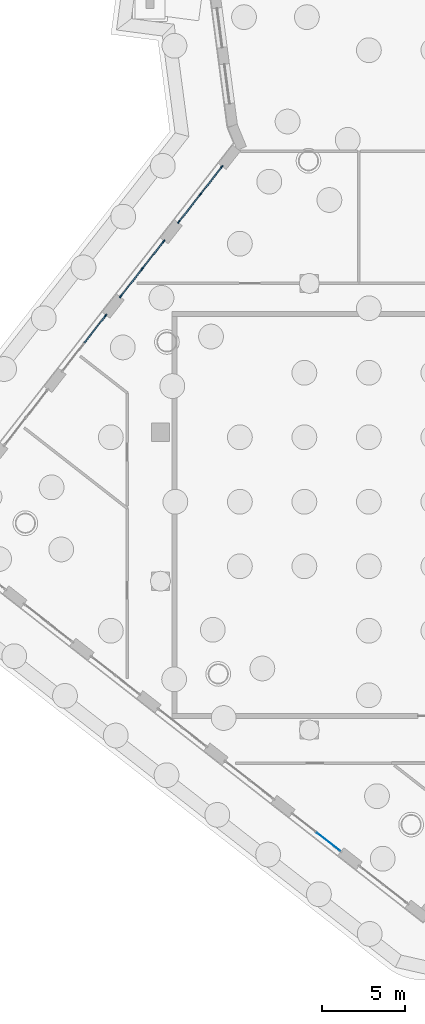
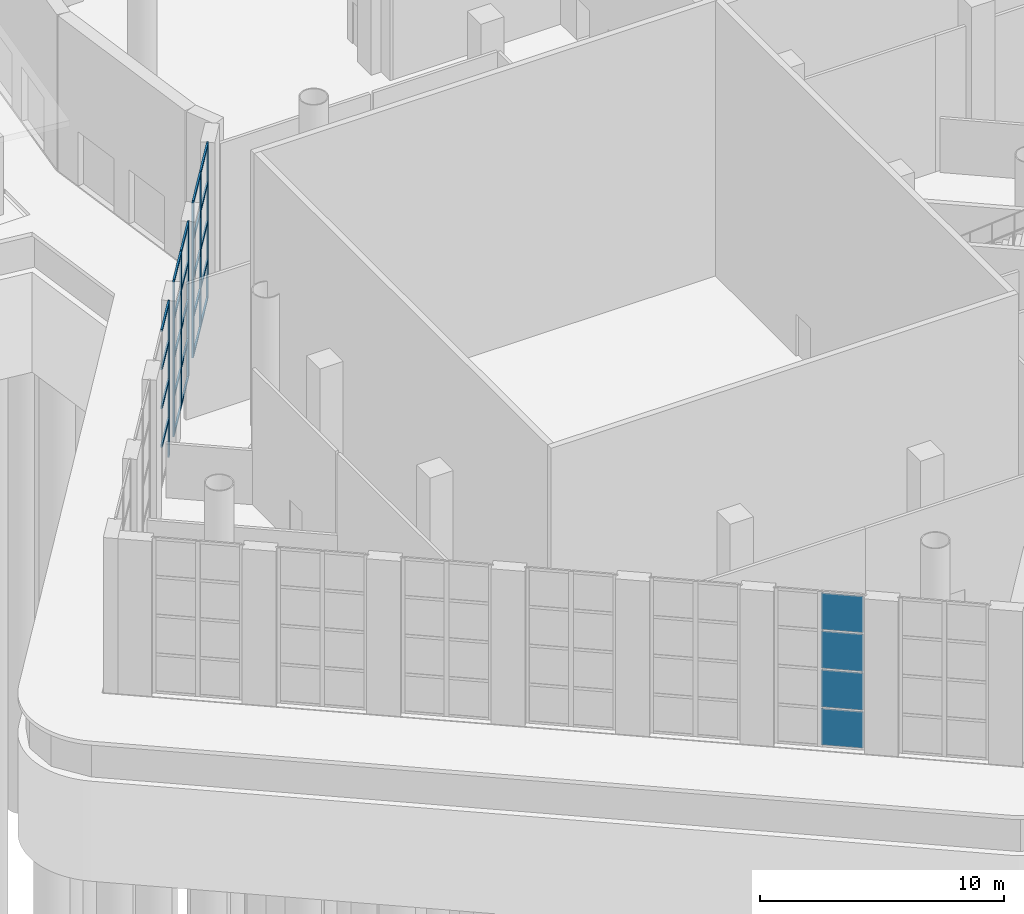
# One storey, part 6 of 34: 31 members, 4 plates, 4 elements without a shape of their own.
"""IFC4 building model written with IfcOpenShell, lengths in metres."""

from ifc_helpers import new_model, si_unit, direction, frame, origin, origin_2d, place, context, subcontext, project, spatial, rectangle, extrude, material, material_profile, profile_set, type_object, element, aggregate, save


model = new_model("IFC4")

# Units and contexts
model_context = context("Model", 3, precision=1e-05, world=origin(), true_north=direction((0.0, 1.0)))
body_context = subcontext(model_context, "Body", "Model", "MODEL_VIEW")
ifc_project = project(units=[si_unit("LENGTHUNIT", "METRE"), si_unit("AREAUNIT", "SQUARE_METRE"), si_unit("VOLUMEUNIT", "CUBIC_METRE"), si_unit("PLANEANGLEUNIT", "RADIAN"), si_unit("MASSUNIT", "GRAM", prefix="KILO")], contexts=[model_context])

# Site, building, storey
site_placement = place(None, origin())
site = spatial("IfcSite", under=ifc_project, at=site_placement, CompositionType="ELEMENT")
building_placement = place(site_placement, origin())
building = spatial("IfcBuilding", under=site, at=building_placement, Name="Tarsis Ring Headquarters", CompositionType="ELEMENT")
storey_placement = place(building_placement, origin())
storey = spatial("IfcBuildingStorey", under=building, at=storey_placement, Name="L00", CompositionType="ELEMENT", Elevation=0.0)

# Curtain wall, members
ifc_material_1 = material(Name="Aluminium and glass", Category="aluminium")
curtain_wall_type = type_object("IfcCurtainWallType", Name="PO-CW1", PredefinedType="NOTDEFINED", material=ifc_material_1)
curtain_wall_1_placement = place(storey_placement, origin())
curtain_wall_1 = element("IfcCurtainWall", 1, at=curtain_wall_1_placement, inside=storey, type_object=curtain_wall_type, Name="Shopfront curtain wall 6.1", PredefinedType="NOTDEFINED")
ifc_material_2 = material(Name="Aluminium", Category="aluminium")
ifc_material_profile_1 = material_profile(ifc_material_2, rectangle(XDim=0.080078125, YDim=0.199951171875, at=origin_2d()), Name="PO-CW1M")
ifc_profile_set_1 = profile_set([ifc_material_profile_1], Name="Aluminium")
member_type_1 = type_object("IfcMemberType", Name="PO-CW1M", PredefinedType="MULLION", material=ifc_profile_set_1)
member_1_placement = place(storey_placement, frame((-32.29150390625, -10.95751953125, 0.0), z_axis=(0.0, 0.0, 1.0), x_axis=(0.788010730451, -0.615661504964, 0.0)))
member_1 = element("IfcMember", 2, at=member_1_placement, type_object=member_type_1, Name="CW-P1 mullion 1", PredefinedType="MULLION", context=body_context, shape_type="SweptSolid", body=[
    extrude(rectangle(XDim=0.080078125, YDim=0.199951171875, at=origin_2d()), origin(), (0.0, 0.0, 1.0), 7.75),
])
member_2_placement = place(storey_placement, frame((-33.592041015625, -12.6220703125, 0.0), z_axis=(0.0, 0.0, 1.0), x_axis=(0.788010730451, -0.615661504964, 0.0)))
member_2 = element("IfcMember", 3, at=member_2_placement, type_object=member_type_1, Name="CW-P1 mullion 2", PredefinedType="MULLION", context=body_context, shape_type="SweptSolid", body=[
    extrude(rectangle(XDim=0.080078125, YDim=0.199951171875, at=origin_2d()), origin(), (0.0, 0.0, 1.0), 7.75),
])
member_3_placement = place(storey_placement, frame((-34.892822265625, -14.286865234375, 0.0), z_axis=(0.0, 0.0, 1.0), x_axis=(0.788010730451, -0.615661504964, 0.0)))
member_3 = element("IfcMember", 4, at=member_3_placement, type_object=member_type_1, Name="CW-P1 mullion 3", PredefinedType="MULLION", context=body_context, shape_type="SweptSolid", body=[
    extrude(rectangle(XDim=0.080078125, YDim=0.199951171875, at=origin_2d()), origin(), (0.0, 0.0, 1.0), 7.75),
])

curtain_wall_2_placement = place(storey_placement, origin())
curtain_wall_2 = element("IfcCurtainWall", 5, at=curtain_wall_2_placement, inside=storey, type_object=curtain_wall_type, Name="Shopfront curtain wall 6.2", PredefinedType="NOTDEFINED")
member_4_placement = place(storey_placement, frame((-35.803955078125, -15.453125, 0.0), z_axis=(0.0, 0.0, 1.0), x_axis=(0.788010818498, -0.615661392269, 0.0)))
member_4 = element("IfcMember", 6, at=member_4_placement, type_object=member_type_1, Name="CW-P1 mullion 1", PredefinedType="MULLION", context=body_context, shape_type="SweptSolid", body=[
    extrude(rectangle(XDim=0.080078125, YDim=0.199951171875, at=origin_2d()), origin(), (0.0, 0.0, 1.0), 7.75),
])
member_5_placement = place(storey_placement, frame((-37.1044921875, -17.11767578125, 0.0), z_axis=(0.0, 0.0, 1.0), x_axis=(0.788010818498, -0.615661392269, 0.0)))
member_5 = element("IfcMember", 7, at=member_5_placement, type_object=member_type_1, Name="CW-P1 mullion 2", PredefinedType="MULLION", context=body_context, shape_type="SweptSolid", body=[
    extrude(rectangle(XDim=0.080078125, YDim=0.199951171875, at=origin_2d()), origin(), (0.0, 0.0, 1.0), 7.75),
])
member_6_placement = place(storey_placement, frame((-38.405029296875, -18.782470703125, 0.0), z_axis=(0.0, 0.0, 1.0), x_axis=(0.788010818498, -0.615661392269, 0.0)))
member_6 = element("IfcMember", 8, at=member_6_placement, type_object=member_type_1, Name="CW-P1 mullion 3", PredefinedType="MULLION", context=body_context, shape_type="SweptSolid", body=[
    extrude(rectangle(XDim=0.080078125, YDim=0.199951171875, at=origin_2d()), origin(), (0.0, 0.0, 1.0), 7.75),
])

# Curtain wall, member
curtain_wall_3_placement = place(storey_placement, origin())
curtain_wall_3 = element("IfcCurtainWall", 9, at=curtain_wall_3_placement, inside=storey, type_object=curtain_wall_type, Name="Shopfront curtain wall 6.3", PredefinedType="NOTDEFINED")
member_7_placement = place(storey_placement, frame((-39.316162109375, -19.94873046875, 0.0), z_axis=(0.0, 0.0, 1.0), x_axis=(0.788010730451, -0.615661504964, 0.0)))
member_7 = element("IfcMember", 10, at=member_7_placement, type_object=member_type_1, Name="CW-P1 mullion 1", PredefinedType="MULLION", context=body_context, shape_type="SweptSolid", body=[
    extrude(rectangle(XDim=0.080078125, YDim=0.199951171875, at=origin_2d()), origin(), (0.0, 0.0, 1.0), 7.75),
])

# Member
ifc_material_profile_2 = material_profile(ifc_material_2, rectangle(XDim=0.080078125, YDim=0.139892578125, at=origin_2d()), Name="PO-CW1T")
ifc_profile_set_2 = profile_set([ifc_material_profile_2], Name="Aluminium")
member_type_2 = type_object("IfcMemberType", Name="PO-CW1T", PredefinedType="USERDEFINED", material=ifc_profile_set_2)
member_8_placement = place(storey_placement, frame((-32.316162109375, -10.989013671875, 0.0400390625), z_axis=(-0.615718629624, -0.787966096437, 0.0), x_axis=(0.787966096437, -0.615718629624, 0.0)))
member_8 = element("IfcMember", 11, at=member_8_placement, type_object=member_type_2, Name="CW-P1 transom 1.1", ObjectType="TRANSOM", PredefinedType="USERDEFINED", context=body_context, shape_type="SweptSolid", body=[
    extrude(rectangle(XDim=0.080078125, YDim=0.139892578125, at=origin_2d()), origin(), (0.0, 0.0, 1.0), 2.032470703125),
])

member_9_placement = place(storey_placement, frame((-32.316162109375, -10.989013671875, 1.9375), z_axis=(-0.615718629624, -0.787966096437, 0.0), x_axis=(0.787966096437, -0.615718629624, 0.0)))
member_9 = element("IfcMember", 12, at=member_9_placement, type_object=member_type_2, Name="CW-P1 transom 1.2", ObjectType="TRANSOM", PredefinedType="USERDEFINED", context=body_context, shape_type="SweptSolid", body=[
    extrude(rectangle(XDim=0.080078125, YDim=0.139892578125, at=origin_2d()), origin(), (0.0, 0.0, 1.0), 2.032470703125),
])

member_10_placement = place(storey_placement, frame((-32.316162109375, -10.989013671875, 3.875), z_axis=(-0.615718629624, -0.787966096437, 0.0), x_axis=(0.787966096437, -0.615718629624, 0.0)))
member_10 = element("IfcMember", 13, at=member_10_placement, type_object=member_type_2, Name="CW-P1 transom 1.3", ObjectType="TRANSOM", PredefinedType="USERDEFINED", context=body_context, shape_type="SweptSolid", body=[
    extrude(rectangle(XDim=0.080078125, YDim=0.139892578125, at=origin_2d()), origin(), (0.0, 0.0, 1.0), 2.032470703125),
])

member_11_placement = place(storey_placement, frame((-32.316162109375, -10.989013671875, 5.8125), z_axis=(-0.615718629624, -0.787966096437, 0.0), x_axis=(0.787966096437, -0.615718629624, 0.0)))
member_11 = element("IfcMember", 14, at=member_11_placement, type_object=member_type_2, Name="CW-P1 transom 1.4", ObjectType="TRANSOM", PredefinedType="USERDEFINED", context=body_context, shape_type="SweptSolid", body=[
    extrude(rectangle(XDim=0.080078125, YDim=0.139892578125, at=origin_2d()), origin(), (0.0, 0.0, 1.0), 2.032470703125),
])

member_12_placement = place(storey_placement, frame((-32.316162109375, -10.989013671875, 7.7099609375), z_axis=(-0.615718629624, -0.787966096437, 0.0), x_axis=(0.787966096437, -0.615718629624, 0.0)))
member_12 = element("IfcMember", 15, at=member_12_placement, type_object=member_type_2, Name="CW-P1 transom 1.5", ObjectType="TRANSOM", PredefinedType="USERDEFINED", context=body_context, shape_type="SweptSolid", body=[
    extrude(rectangle(XDim=0.080078125, YDim=0.139892578125, at=origin_2d()), origin(), (0.0, 0.0, 1.0), 2.032470703125),
])

member_13_placement = place(storey_placement, frame((-33.61669921875, -12.653564453125, 0.0400390625), z_axis=(-0.615660356948, -0.788011627378, 0.0), x_axis=(0.788011627378, -0.615660356948, 0.0)))
member_13 = element("IfcMember", 16, at=member_13_placement, type_object=member_type_2, Name="CW-P1 transom 2.1", ObjectType="TRANSOM", PredefinedType="USERDEFINED", context=body_context, shape_type="SweptSolid", body=[
    extrude(rectangle(XDim=0.080078125, YDim=0.139892578125, at=origin_2d()), origin(), (0.0, 0.0, 1.0), 2.03271484375),
])

member_14_placement = place(storey_placement, frame((-33.61669921875, -12.653564453125, 1.9375), z_axis=(-0.615660356948, -0.788011627378, 0.0), x_axis=(0.788011627378, -0.615660356948, 0.0)))
member_14 = element("IfcMember", 17, at=member_14_placement, type_object=member_type_2, Name="CW-P1 transom 2.2", ObjectType="TRANSOM", PredefinedType="USERDEFINED", context=body_context, shape_type="SweptSolid", body=[
    extrude(rectangle(XDim=0.080078125, YDim=0.139892578125, at=origin_2d()), origin(), (0.0, 0.0, 1.0), 2.03271484375),
])

member_15_placement = place(storey_placement, frame((-33.61669921875, -12.653564453125, 3.875), z_axis=(-0.615660356948, -0.788011627378, 0.0), x_axis=(0.788011627378, -0.615660356948, 0.0)))
member_15 = element("IfcMember", 18, at=member_15_placement, type_object=member_type_2, Name="CW-P1 transom 2.3", ObjectType="TRANSOM", PredefinedType="USERDEFINED", context=body_context, shape_type="SweptSolid", body=[
    extrude(rectangle(XDim=0.080078125, YDim=0.139892578125, at=origin_2d()), origin(), (0.0, 0.0, 1.0), 2.03271484375),
])

member_16_placement = place(storey_placement, frame((-33.61669921875, -12.653564453125, 5.8125), z_axis=(-0.615660356948, -0.788011627378, 0.0), x_axis=(0.788011627378, -0.615660356948, 0.0)))
member_16 = element("IfcMember", 19, at=member_16_placement, type_object=member_type_2, Name="CW-P1 transom 2.4", ObjectType="TRANSOM", PredefinedType="USERDEFINED", context=body_context, shape_type="SweptSolid", body=[
    extrude(rectangle(XDim=0.080078125, YDim=0.139892578125, at=origin_2d()), origin(), (0.0, 0.0, 1.0), 2.03271484375),
])

member_17_placement = place(storey_placement, frame((-33.61669921875, -12.653564453125, 7.7099609375), z_axis=(-0.615660356948, -0.788011627378, 0.0), x_axis=(0.788011627378, -0.615660356948, 0.0)))
member_17 = element("IfcMember", 20, at=member_17_placement, type_object=member_type_2, Name="CW-P1 transom 2.5", ObjectType="TRANSOM", PredefinedType="USERDEFINED", context=body_context, shape_type="SweptSolid", body=[
    extrude(rectangle(XDim=0.080078125, YDim=0.139892578125, at=origin_2d()), origin(), (0.0, 0.0, 1.0), 2.03271484375),
])

aggregate(curtain_wall_1, [member_1, member_2, member_3, member_8, member_9, member_10, member_11, member_12, member_13, member_14, member_15, member_16, member_17])

member_18_placement = place(storey_placement, frame((-35.82861328125, -15.484619140625, 0.0400390625), z_axis=(-0.615644041972, -0.788024373725, 0.0), x_axis=(0.788024373725, -0.615644041972, 0.0)))
member_18 = element("IfcMember", 21, at=member_18_placement, type_object=member_type_2, Name="CW-P1 transom 1.1", ObjectType="TRANSOM", PredefinedType="USERDEFINED", context=body_context, shape_type="SweptSolid", body=[
    extrude(rectangle(XDim=0.080078125, YDim=0.139892578125, at=origin_2d()), origin(), (0.0, 0.0, 1.0), 2.032470703125),
])

member_19_placement = place(storey_placement, frame((-35.82861328125, -15.484619140625, 1.9375), z_axis=(-0.615644041972, -0.788024373725, 0.0), x_axis=(0.788024373725, -0.615644041972, 0.0)))
member_19 = element("IfcMember", 22, at=member_19_placement, type_object=member_type_2, Name="CW-P1 transom 1.2", ObjectType="TRANSOM", PredefinedType="USERDEFINED", context=body_context, shape_type="SweptSolid", body=[
    extrude(rectangle(XDim=0.080078125, YDim=0.139892578125, at=origin_2d()), origin(), (0.0, 0.0, 1.0), 2.032470703125),
])

member_20_placement = place(storey_placement, frame((-35.82861328125, -15.484619140625, 3.875), z_axis=(-0.615644041972, -0.788024373725, 0.0), x_axis=(0.788024373725, -0.615644041972, 0.0)))
member_20 = element("IfcMember", 23, at=member_20_placement, type_object=member_type_2, Name="CW-P1 transom 1.3", ObjectType="TRANSOM", PredefinedType="USERDEFINED", context=body_context, shape_type="SweptSolid", body=[
    extrude(rectangle(XDim=0.080078125, YDim=0.139892578125, at=origin_2d()), origin(), (0.0, 0.0, 1.0), 2.032470703125),
])

member_21_placement = place(storey_placement, frame((-35.82861328125, -15.484619140625, 5.8125), z_axis=(-0.615644041972, -0.788024373725, 0.0), x_axis=(0.788024373725, -0.615644041972, 0.0)))
member_21 = element("IfcMember", 24, at=member_21_placement, type_object=member_type_2, Name="CW-P1 transom 1.4", ObjectType="TRANSOM", PredefinedType="USERDEFINED", context=body_context, shape_type="SweptSolid", body=[
    extrude(rectangle(XDim=0.080078125, YDim=0.139892578125, at=origin_2d()), origin(), (0.0, 0.0, 1.0), 2.032470703125),
])

member_22_placement = place(storey_placement, frame((-35.82861328125, -15.484619140625, 7.7099609375), z_axis=(-0.615644041972, -0.788024373725, 0.0), x_axis=(0.788024373725, -0.615644041972, 0.0)))
member_22 = element("IfcMember", 25, at=member_22_placement, type_object=member_type_2, Name="CW-P1 transom 1.5", ObjectType="TRANSOM", PredefinedType="USERDEFINED", context=body_context, shape_type="SweptSolid", body=[
    extrude(rectangle(XDim=0.080078125, YDim=0.139892578125, at=origin_2d()), origin(), (0.0, 0.0, 1.0), 2.032470703125),
])

member_23_placement = place(storey_placement, frame((-37.129150390625, -17.149169921875, 0.0400390625), z_axis=(-0.615644041972, -0.788024373725, 0.0), x_axis=(0.788024373725, -0.615644041972, 0.0)))
member_23 = element("IfcMember", 26, at=member_23_placement, type_object=member_type_2, Name="CW-P1 transom 2.1", ObjectType="TRANSOM", PredefinedType="USERDEFINED", context=body_context, shape_type="SweptSolid", body=[
    extrude(rectangle(XDim=0.080078125, YDim=0.139892578125, at=origin_2d()), origin(), (0.0, 0.0, 1.0), 2.032470703125),
])

member_24_placement = place(storey_placement, frame((-37.129150390625, -17.149169921875, 1.9375), z_axis=(-0.615644041972, -0.788024373725, 0.0), x_axis=(0.788024373725, -0.615644041972, 0.0)))
member_24 = element("IfcMember", 27, at=member_24_placement, type_object=member_type_2, Name="CW-P1 transom 2.2", ObjectType="TRANSOM", PredefinedType="USERDEFINED", context=body_context, shape_type="SweptSolid", body=[
    extrude(rectangle(XDim=0.080078125, YDim=0.139892578125, at=origin_2d()), origin(), (0.0, 0.0, 1.0), 2.032470703125),
])

member_25_placement = place(storey_placement, frame((-37.129150390625, -17.149169921875, 3.875), z_axis=(-0.615644041972, -0.788024373725, 0.0), x_axis=(0.788024373725, -0.615644041972, 0.0)))
member_25 = element("IfcMember", 28, at=member_25_placement, type_object=member_type_2, Name="CW-P1 transom 2.3", ObjectType="TRANSOM", PredefinedType="USERDEFINED", context=body_context, shape_type="SweptSolid", body=[
    extrude(rectangle(XDim=0.080078125, YDim=0.139892578125, at=origin_2d()), origin(), (0.0, 0.0, 1.0), 2.032470703125),
])

member_26_placement = place(storey_placement, frame((-37.129150390625, -17.149169921875, 5.8125), z_axis=(-0.615644041972, -0.788024373725, 0.0), x_axis=(0.788024373725, -0.615644041972, 0.0)))
member_26 = element("IfcMember", 29, at=member_26_placement, type_object=member_type_2, Name="CW-P1 transom 2.4", ObjectType="TRANSOM", PredefinedType="USERDEFINED", context=body_context, shape_type="SweptSolid", body=[
    extrude(rectangle(XDim=0.080078125, YDim=0.139892578125, at=origin_2d()), origin(), (0.0, 0.0, 1.0), 2.032470703125),
])

member_27_placement = place(storey_placement, frame((-37.129150390625, -17.149169921875, 7.7099609375), z_axis=(-0.615644041972, -0.788024373725, 0.0), x_axis=(0.788024373725, -0.615644041972, 0.0)))
member_27 = element("IfcMember", 30, at=member_27_placement, type_object=member_type_2, Name="CW-P1 transom 2.5", ObjectType="TRANSOM", PredefinedType="USERDEFINED", context=body_context, shape_type="SweptSolid", body=[
    extrude(rectangle(XDim=0.080078125, YDim=0.139892578125, at=origin_2d()), origin(), (0.0, 0.0, 1.0), 2.032470703125),
])

aggregate(curtain_wall_2, [member_4, member_5, member_6, member_18, member_19, member_20, member_21, member_22, member_23, member_24, member_25, member_26, member_27])

member_28_placement = place(storey_placement, frame((-39.3408203125, -19.980224609375, 1.9375), z_axis=(-0.615644041972, -0.788024373725, 0.0), x_axis=(0.788024373725, -0.615644041972, 0.0)))
member_28 = element("IfcMember", 31, at=member_28_placement, type_object=member_type_2, Name="CW-P1 transom 1.2", ObjectType="TRANSOM", PredefinedType="USERDEFINED", context=body_context, shape_type="SweptSolid", body=[
    extrude(rectangle(XDim=0.080078125, YDim=0.139892578125, at=origin_2d()), origin(), (0.0, 0.0, 1.0), 2.032470703125),
])

member_29_placement = place(storey_placement, frame((-39.3408203125, -19.980224609375, 3.875), z_axis=(-0.615644041972, -0.788024373725, 0.0), x_axis=(0.788024373725, -0.615644041972, 0.0)))
member_29 = element("IfcMember", 32, at=member_29_placement, type_object=member_type_2, Name="CW-P1 transom 1.3", ObjectType="TRANSOM", PredefinedType="USERDEFINED", context=body_context, shape_type="SweptSolid", body=[
    extrude(rectangle(XDim=0.080078125, YDim=0.139892578125, at=origin_2d()), origin(), (0.0, 0.0, 1.0), 2.032470703125),
])

member_30_placement = place(storey_placement, frame((-39.3408203125, -19.980224609375, 5.8125), z_axis=(-0.615644041972, -0.788024373725, 0.0), x_axis=(0.788024373725, -0.615644041972, 0.0)))
member_30 = element("IfcMember", 33, at=member_30_placement, type_object=member_type_2, Name="CW-P1 transom 1.4", ObjectType="TRANSOM", PredefinedType="USERDEFINED", context=body_context, shape_type="SweptSolid", body=[
    extrude(rectangle(XDim=0.080078125, YDim=0.139892578125, at=origin_2d()), origin(), (0.0, 0.0, 1.0), 2.032470703125),
])

member_31_placement = place(storey_placement, frame((-39.3408203125, -19.980224609375, 7.7099609375), z_axis=(-0.615644041972, -0.788024373725, 0.0), x_axis=(0.788024373725, -0.615644041972, 0.0)))
member_31 = element("IfcMember", 34, at=member_31_placement, type_object=member_type_2, Name="CW-P1 transom 1.5", ObjectType="TRANSOM", PredefinedType="USERDEFINED", context=body_context, shape_type="SweptSolid", body=[
    extrude(rectangle(XDim=0.080078125, YDim=0.139892578125, at=origin_2d()), origin(), (0.0, 0.0, 1.0), 2.032470703125),
])

aggregate(curtain_wall_3, [member_7, member_28, member_29, member_30, member_31])

# Curtain wall, plates
curtain_wall_4_placement = place(storey_placement, origin())
curtain_wall_4 = element("IfcCurtainWall", 35, at=curtain_wall_4_placement, inside=storey, type_object=curtain_wall_type, Name="Shopfront curtain wall 7.6", PredefinedType="NOTDEFINED")
ifc_material_3 = material(Name="Insulated glass", Category="glass")
plate_type = type_object("IfcPlateType", Name="PO-CW1P", PredefinedType="CURTAIN_PANEL", material=ifc_material_3)
plate_1_placement = place(storey_placement, frame((-25.8447265625, -51.76123046875, 0.080078125), z_axis=(0.0, 0.0, 1.0), x_axis=(0.788010779825, -0.615661441767, 0.0)))
plate_1 = element("IfcPlate", 36, at=plate_1_placement, type_object=plate_type, Name="CW-P1 panel 2.1", PredefinedType="CURTAIN_PANEL", context=body_context, shape_type="SweptSolid", body=[
    extrude(rectangle(XDim=1.75146484375, YDim=0.028076171875, at=origin_2d()), origin(), (0.0, 0.0, 1.0), 1.8173828125),
])
plate_2_placement = place(storey_placement, frame((-25.8447265625, -51.76123046875, 1.9775390625), z_axis=(0.0, 0.0, 1.0), x_axis=(0.788010779825, -0.615661441767, 0.0)))
plate_2 = element("IfcPlate", 37, at=plate_2_placement, type_object=plate_type, Name="CW-P1 panel 2.2", PredefinedType="CURTAIN_PANEL", context=body_context, shape_type="SweptSolid", body=[
    extrude(rectangle(XDim=1.75146484375, YDim=0.028076171875, at=origin_2d()), origin(), (0.0, 0.0, 1.0), 1.857421875),
])
plate_3_placement = place(storey_placement, frame((-25.8447265625, -51.76123046875, 3.9150390625), z_axis=(0.0, 0.0, 1.0), x_axis=(0.788010779825, -0.615661441767, 0.0)))
plate_3 = element("IfcPlate", 38, at=plate_3_placement, type_object=plate_type, Name="CW-P1 panel 2.3", PredefinedType="CURTAIN_PANEL", context=body_context, shape_type="SweptSolid", body=[
    extrude(rectangle(XDim=1.75146484375, YDim=0.028076171875, at=origin_2d()), origin(), (0.0, 0.0, 1.0), 1.857421875),
])
plate_4_placement = place(storey_placement, frame((-25.8447265625, -51.76123046875, 5.8525390625), z_axis=(0.0, 0.0, 1.0), x_axis=(0.788010779825, -0.615661441767, 0.0)))
plate_4 = element("IfcPlate", 39, at=plate_4_placement, type_object=plate_type, Name="CW-P1 panel 2.4", PredefinedType="CURTAIN_PANEL", context=body_context, shape_type="SweptSolid", body=[
    extrude(rectangle(XDim=1.75146484375, YDim=0.028076171875, at=origin_2d()), origin(), (0.0, 0.0, 1.0), 1.8173828125),
])
aggregate(curtain_wall_4, [plate_1, plate_2, plate_3, plate_4])

save(model, "model.ifc")
